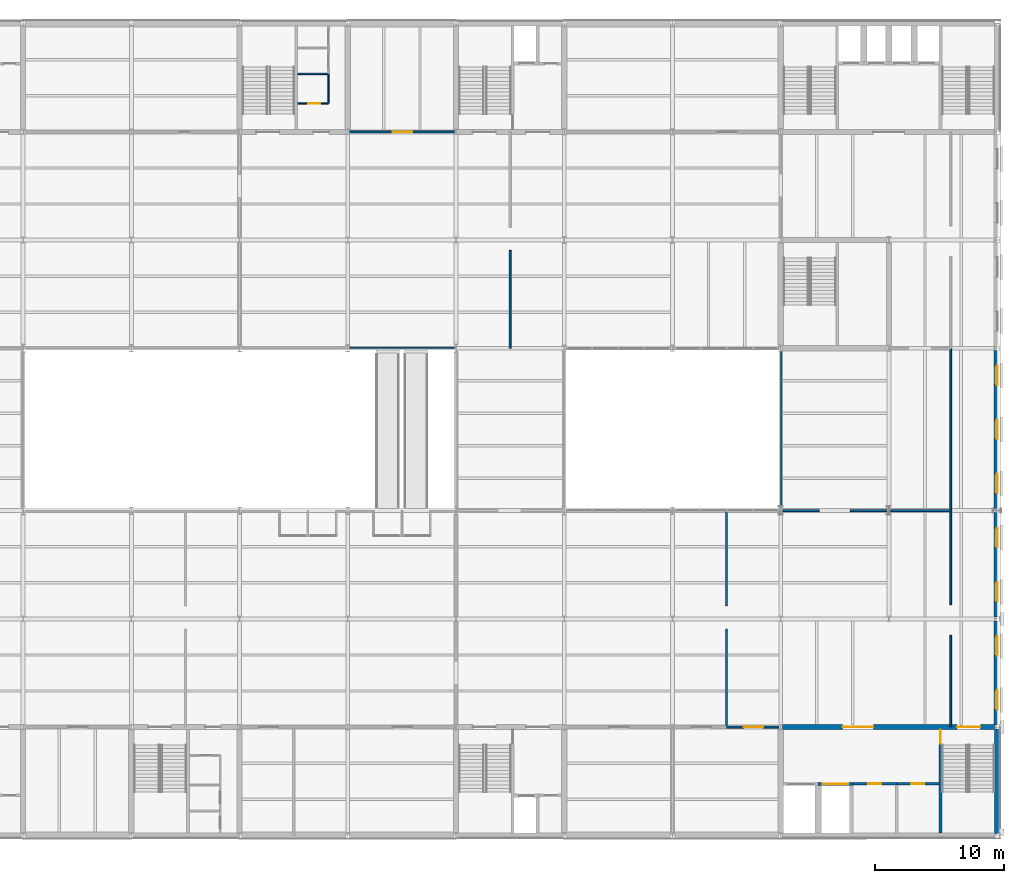
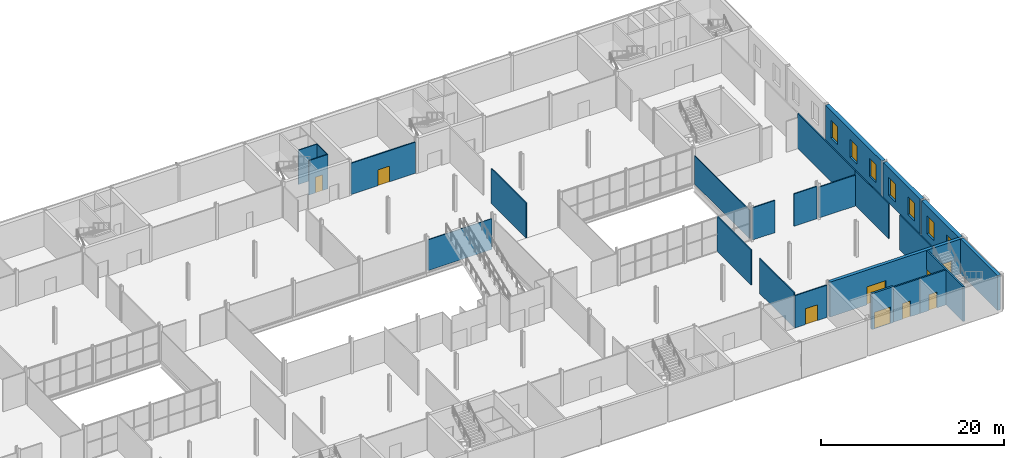
# One storey, part 32 of 57: 25 walls, 9 doors, 7 windows, 16 openings.
"""IFC4 building model written with IfcOpenShell, lengths in metres."""

from ifc_helpers import new_model, si_unit, direction, frame, frame_2d, origin, place, context, subcontext, project, spatial, rectangle, extrude, material, layer, layer_set, type_object, element, fill, save


model = new_model("IFC4")

# Units and contexts
model_context = context("Model", 3, precision=1e-05, world=origin(), true_north=direction((0.0, 1.0)))
body_context = subcontext(model_context, "Body", "Model", "MODEL_VIEW")
ifc_project = project(units=[si_unit("LENGTHUNIT", "METRE"), si_unit("AREAUNIT", "SQUARE_METRE"), si_unit("VOLUMEUNIT", "CUBIC_METRE"), si_unit("PLANEANGLEUNIT", "RADIAN"), si_unit("MASSUNIT", "GRAM", prefix="KILO")], contexts=[model_context])

# Site, building, storey
site_placement = place(None, origin())
site = spatial("IfcSite", under=ifc_project, at=site_placement, CompositionType="ELEMENT")
building_placement = place(site_placement, origin())
building = spatial("IfcBuilding", under=site, at=building_placement, Name="Galleria Vessillo Department Store", CompositionType="ELEMENT")
storey_placement = place(building_placement, frame((0.0, 0.0, 21.0)))
storey = spatial("IfcBuildingStorey", under=building, at=storey_placement, Name="L04", CompositionType="ELEMENT", Elevation=21.0)

# Walls
ifc_material_1 = material(Name="Fire-resisting glass in steel frame S355 J2", Category="steel")
ifc_layer_1 = layer(ifc_material_1, 0.10009765625)
ifc_layer_set_1 = layer_set([ifc_layer_1], Name="Fire-resisting glass in steel frame S355 J2")
wall_type_1 = type_object("IfcWallType", Name="Fire-resisting glazed screen EI 120-Sa 100 mm", PredefinedType="PARTITIONING", material=ifc_layer_set_1)
wall_1_placement = place(storey_placement, frame((67.35302734375, 37.85009765625, 0.0), z_axis=(0.0, 0.0, 1.0), x_axis=(1.0, 0.0, 0.0)))
element("IfcWall", 1, at=wall_1_placement, inside=storey, type_object=wall_type_1, Name="Fire screen, atrium edge L04", PredefinedType="PARTITIONING", context=body_context, shape_type="SweptSolid", body=[
    extrude(rectangle(XDim=8.094482421875, YDim=0.10009765625, at=frame_2d((4.04736328125, 0.0))), origin(), (0.0, 0.0, 1.0), 4.110107421875),
])
wall_2_placement = place(storey_placement, frame((100.85009765625, 25.533935546875, 0.0), z_axis=(0.0, 0.0, 1.0), x_axis=(0.0, 1.0, 0.0)))
element("IfcWall", 2, at=wall_2_placement, inside=storey, type_object=wall_type_1, Name="Fire screen, arcade end L04", PredefinedType="PARTITIONING", context=body_context, shape_type="SweptSolid", body=[
    extrude(rectangle(XDim=12.027099609375, YDim=0.10009765625, at=frame_2d((6.013671875, 0.0))), origin(), (0.0, 0.0, 1.0), 3.760009765625),
])

# Wall, opening, door
ifc_material_2 = material(Name="Solid clay block masonry", Category="masonry")
ifc_layer_2 = layer(ifc_material_2, 0.25)
ifc_layer_set_2 = layer_set([ifc_layer_2], Name="Solid clay block masonry")
wall_type_2 = type_object("IfcWallType", Name="Lift shaft wall 250 mm", PredefinedType="SOLIDWALL", material=ifc_layer_set_2)
wall_3_placement = place(storey_placement, frame((103.699951171875, 3.97509765625, 0.0), z_axis=(0.0, 0.0, 1.0), x_axis=(1.0, 0.0, 0.0)))
wall_3 = element("IfcWall", 3, at=wall_3_placement, inside=storey, type_object=wall_type_2, Name="Lift shaft wall GL2 landing side L04", PredefinedType="SOLIDWALL", context=body_context, shape_type="SweptSolid", body=[
    extrude(rectangle(XDim=2.699951171875, YDim=0.25, at=frame_2d((1.35009765625, 0.0))), origin(), (0.0, 0.0, 1.0), 4.800048828125),
])
opening_1_placement = place(wall_3_placement, frame((0.35009765625, 0.0, 0.0)))
opening_1 = element("IfcOpeningElement", 4, at=opening_1_placement, cuts=wall_3, Name="Opening LD062", PredefinedType="OPENING", context=body_context, shape_type="SweptSolid", body=[
    extrude(rectangle(XDim=2.0, YDim=2.199951171875, at=frame_2d((1.0, 1.10009765625))), frame((0.0, 0.135009765625, 0.0), z_axis=(0.0, -1.0, 0.0), x_axis=(1.0, 0.0, 0.0)), (0.0, 0.0, 1.0), 0.27001953125),
])
ifc_material_3 = material(Name="Stainless steel lift door panel", Category="steel")
door_type_1 = type_object("IfcDoorType", Name="Lift landing door LD200 sliding 2000 x 2200", OperationType="DOUBLE_DOOR_SLIDING", PredefinedType="DOOR", material=ifc_material_3)
door_1_placement = place(opening_1_placement, origin())
door_1 = element("IfcDoor", 5, at=door_1_placement, inside=storey, type_object=door_type_1, Name="Lift landing door GL2 L04", OperationType="DOUBLE_DOOR_SLIDING", OverallHeight=2.199951171875, OverallWidth=2.0, PredefinedType="DOOR", context=body_context, shape_type="SweptSolid", body=[
    extrude(rectangle(XDim=2.0, YDim=2.199951171875, at=frame_2d((1.0, 1.10009765625))), frame((0.0, 0.02490234375, 0.0), z_axis=(0.0, -1.0, 0.0), x_axis=(1.0, 0.0, 0.0)), (0.0, 0.0, 1.0), 0.050048828125),
])
fill(opening_1, door_1)

# Wall, openings, windows
ifc_material_4 = material(Name="Reinforced masonry, limestone units 80 MPa", Category="masonry")
ifc_layer_3 = layer(ifc_material_4, 0.5)
ifc_layer_set_3 = layer_set([ifc_layer_3], Name="Reinforced masonry, limestone units 80 MPa")
wall_type_3 = type_object("IfcWallType", Name="Load-bearing limestone-faced wall 500 mm", PredefinedType="STANDARD", material=ifc_layer_set_3)
wall_4_placement = place(storey_placement, frame((117.60009765625, 8.5498046875, 0.0), z_axis=(0.0, 0.0, 1.0), x_axis=(0.0, 1.0, 0.0)))
wall_4 = element("IfcWall", 6, at=wall_4_placement, inside=storey, type_object=wall_type_3, Name="Load-bearing limestone-faced wall 500 mm SE-L04-01", PredefinedType="STANDARD", context=body_context, shape_type="SweptSolid", body=[
    extrude(rectangle(XDim=8.100341796875, YDim=0.5, at=frame_2d((4.05029296875, 0.0))), origin(), (0.0, 0.0, 1.0), 4.650146484375),
])
opening_2_placement = place(wall_4_placement, frame((1.2001953125, 0.0, 1.0)))
opening_2 = element("IfcOpeningElement", 7, at=opening_2_placement, cuts=wall_4, Name="Opening W054", PredefinedType="OPENING", context=body_context, shape_type="SweptSolid", body=[
    extrude(rectangle(XDim=1.5, YDim=2.39990234375, at=frame_2d((0.75, 1.199951171875))), frame((0.0, 0.260009765625, 0.0), z_axis=(0.0, -1.0, 0.0), x_axis=(1.0, 0.0, 0.0)), (0.0, 0.0, 1.0), 0.52001953125),
])
opening_3_placement = place(wall_4_placement, frame((5.400146484375, 0.0, 1.0)))
opening_3 = element("IfcOpeningElement", 8, at=opening_3_placement, cuts=wall_4, Name="Opening W055", PredefinedType="OPENING", context=body_context, shape_type="SweptSolid", body=[
    extrude(rectangle(XDim=1.5, YDim=2.39990234375, at=frame_2d((0.75, 1.199951171875))), frame((0.0, 0.260009765625, 0.0), z_axis=(0.0, -1.0, 0.0), x_axis=(1.0, 0.0, 0.0)), (0.0, 0.0, 1.0), 0.52001953125),
])
ifc_material_5 = material(Name="Aluminium frame with laminated glass 44.2", Category="aluminium")
window_type = type_object("IfcWindowType", Name="Third order window 1500 x 2400", PartitioningType="SINGLE_PANEL", PredefinedType="WINDOW", material=ifc_material_5)
window_1_placement = place(opening_2_placement, origin())
window_1 = element("IfcWindow", 9, at=window_1_placement, inside=storey, type_object=window_type, Name="E-WIN-SE-L04-01-054", OverallHeight=2.39990234375, OverallWidth=1.5, PartitioningType="SINGLE_PANEL", PredefinedType="WINDOW", context=body_context, shape_type="SweptSolid", body=[
    extrude(rectangle(XDim=1.5, YDim=2.39990234375, at=frame_2d((0.75, 1.199951171875))), frame((0.0, 0.030029296875, 0.0), z_axis=(0.0, -1.0, 0.0), x_axis=(1.0, 0.0, 0.0)), (0.0, 0.0, 1.0), 0.06005859375),
])
fill(opening_2, window_1)
window_2_placement = place(opening_3_placement, origin())
window_2 = element("IfcWindow", 10, at=window_2_placement, inside=storey, type_object=window_type, Name="E-WIN-SE-L04-01-055", OverallHeight=2.39990234375, OverallWidth=1.5, PartitioningType="SINGLE_PANEL", PredefinedType="WINDOW", context=body_context, shape_type="SweptSolid", body=[
    extrude(rectangle(XDim=1.5, YDim=2.39990234375, at=frame_2d((0.75, 1.199951171875))), frame((0.0, 0.030029296875, 0.0), z_axis=(0.0, -1.0, 0.0), x_axis=(1.0, 0.0, 0.0)), (0.0, 0.0, 1.0), 0.06005859375),
])
fill(opening_3, window_2)

wall_5_placement = place(storey_placement, frame((117.60009765625, 16.949951171875, 0.0), z_axis=(0.0, 0.0, 1.0), x_axis=(0.0, 1.0, 0.0)))
wall_5 = element("IfcWall", 11, at=wall_5_placement, inside=storey, type_object=wall_type_3, Name="Load-bearing limestone-faced wall 500 mm SE-L04-02", PredefinedType="STANDARD", context=body_context, shape_type="SweptSolid", body=[
    extrude(rectangle(XDim=8.097412109375, YDim=0.5, at=frame_2d((4.048828125, 0.0))), origin(), (0.0, 0.0, 1.0), 4.650146484375),
])
opening_4_placement = place(wall_5_placement, frame((1.199951171875, 0.0, 1.0)))
opening_4 = element("IfcOpeningElement", 12, at=opening_4_placement, cuts=wall_5, Name="Opening W056", PredefinedType="OPENING", context=body_context, shape_type="SweptSolid", body=[
    extrude(rectangle(XDim=1.5, YDim=2.39990234375, at=frame_2d((0.75, 1.199951171875))), frame((0.0, 0.260009765625, 0.0), z_axis=(0.0, -1.0, 0.0), x_axis=(1.0, 0.0, 0.0)), (0.0, 0.0, 1.0), 0.52001953125),
])
opening_5_placement = place(wall_5_placement, frame((5.400146484375, 0.0, 1.0)))
opening_5 = element("IfcOpeningElement", 13, at=opening_5_placement, cuts=wall_5, Name="Opening W057", PredefinedType="OPENING", context=body_context, shape_type="SweptSolid", body=[
    extrude(rectangle(XDim=1.5, YDim=2.39990234375, at=frame_2d((0.75, 1.199951171875))), frame((0.0, 0.260009765625, 0.0), z_axis=(0.0, -1.0, 0.0), x_axis=(1.0, 0.0, 0.0)), (0.0, 0.0, 1.0), 0.52001953125),
])
window_3_placement = place(opening_4_placement, origin())
window_3 = element("IfcWindow", 14, at=window_3_placement, inside=storey, type_object=window_type, Name="E-WIN-SE-L04-02-056", OverallHeight=2.39990234375, OverallWidth=1.5, PartitioningType="SINGLE_PANEL", PredefinedType="WINDOW", context=body_context, shape_type="SweptSolid", body=[
    extrude(rectangle(XDim=1.5, YDim=2.39990234375, at=frame_2d((0.75, 1.199951171875))), frame((0.0, 0.030029296875, 0.0), z_axis=(0.0, -1.0, 0.0), x_axis=(1.0, 0.0, 0.0)), (0.0, 0.0, 1.0), 0.06005859375),
])
fill(opening_4, window_3)
window_4_placement = place(opening_5_placement, origin())
window_4 = element("IfcWindow", 15, at=window_4_placement, inside=storey, type_object=window_type, Name="E-WIN-SE-L04-02-057", OverallHeight=2.39990234375, OverallWidth=1.5, PartitioningType="SINGLE_PANEL", PredefinedType="WINDOW", context=body_context, shape_type="SweptSolid", body=[
    extrude(rectangle(XDim=1.5, YDim=2.39990234375, at=frame_2d((0.75, 1.199951171875))), frame((0.0, 0.030029296875, 0.0), z_axis=(0.0, -1.0, 0.0), x_axis=(1.0, 0.0, 0.0)), (0.0, 0.0, 1.0), 0.06005859375),
])
fill(opening_5, window_4)

wall_6_placement = place(storey_placement, frame((117.60009765625, 25.3525390625, 0.0), z_axis=(0.0, 0.0, 1.0), x_axis=(0.0, 1.0, 0.0)))
wall_6 = element("IfcWall", 16, at=wall_6_placement, inside=storey, type_object=wall_type_3, Name="Load-bearing limestone-faced wall 500 mm SE-L04-03", PredefinedType="STANDARD", context=body_context, shape_type="SweptSolid", body=[
    extrude(rectangle(XDim=12.2939453125, YDim=0.5, at=frame_2d((6.14697265625, 0.0))), origin(), (0.0, 0.0, 1.0), 4.650146484375),
])
opening_6_placement = place(wall_6_placement, frame((1.197509765625, 0.0, 1.0)))
opening_6 = element("IfcOpeningElement", 17, at=opening_6_placement, cuts=wall_6, Name="Opening W058", PredefinedType="OPENING", context=body_context, shape_type="SweptSolid", body=[
    extrude(rectangle(XDim=1.5, YDim=2.39990234375, at=frame_2d((0.75, 1.199951171875))), frame((0.0, 0.260009765625, 0.0), z_axis=(0.0, -1.0, 0.0), x_axis=(1.0, 0.0, 0.0)), (0.0, 0.0, 1.0), 0.52001953125),
])
opening_7_placement = place(wall_6_placement, frame((5.3974609375, 0.0, 1.0)))
opening_7 = element("IfcOpeningElement", 18, at=opening_7_placement, cuts=wall_6, Name="Opening W059", PredefinedType="OPENING", context=body_context, shape_type="SweptSolid", body=[
    extrude(rectangle(XDim=1.5, YDim=2.39990234375, at=frame_2d((0.75, 1.199951171875))), frame((0.0, 0.260009765625, 0.0), z_axis=(0.0, -1.0, 0.0), x_axis=(1.0, 0.0, 0.0)), (0.0, 0.0, 1.0), 0.52001953125),
])
opening_8_placement = place(wall_6_placement, frame((9.597412109375, 0.0, 1.0)))
opening_8 = element("IfcOpeningElement", 19, at=opening_8_placement, cuts=wall_6, Name="Opening W060", PredefinedType="OPENING", context=body_context, shape_type="SweptSolid", body=[
    extrude(rectangle(XDim=1.5, YDim=2.39990234375, at=frame_2d((0.75, 1.199951171875))), frame((0.0, 0.260009765625, 0.0), z_axis=(0.0, -1.0, 0.0), x_axis=(1.0, 0.0, 0.0)), (0.0, 0.0, 1.0), 0.52001953125),
])
window_5_placement = place(opening_6_placement, origin())
window_5 = element("IfcWindow", 20, at=window_5_placement, inside=storey, type_object=window_type, Name="E-WIN-SE-L04-03-058", OverallHeight=2.39990234375, OverallWidth=1.5, PartitioningType="SINGLE_PANEL", PredefinedType="WINDOW", context=body_context, shape_type="SweptSolid", body=[
    extrude(rectangle(XDim=1.5, YDim=2.39990234375, at=frame_2d((0.75, 1.199951171875))), frame((0.0, 0.030029296875, 0.0), z_axis=(0.0, -1.0, 0.0), x_axis=(1.0, 0.0, 0.0)), (0.0, 0.0, 1.0), 0.06005859375),
])
fill(opening_6, window_5)
window_6_placement = place(opening_7_placement, origin())
window_6 = element("IfcWindow", 21, at=window_6_placement, inside=storey, type_object=window_type, Name="E-WIN-SE-L04-03-059", OverallHeight=2.39990234375, OverallWidth=1.5, PartitioningType="SINGLE_PANEL", PredefinedType="WINDOW", context=body_context, shape_type="SweptSolid", body=[
    extrude(rectangle(XDim=1.5, YDim=2.39990234375, at=frame_2d((0.75, 1.199951171875))), frame((0.0, 0.030029296875, 0.0), z_axis=(0.0, -1.0, 0.0), x_axis=(1.0, 0.0, 0.0)), (0.0, 0.0, 1.0), 0.06005859375),
])
fill(opening_7, window_6)
window_7_placement = place(opening_8_placement, origin())
window_7 = element("IfcWindow", 22, at=window_7_placement, inside=storey, type_object=window_type, Name="E-WIN-SE-L04-03-060", OverallHeight=2.39990234375, OverallWidth=1.5, PartitioningType="SINGLE_PANEL", PredefinedType="WINDOW", context=body_context, shape_type="SweptSolid", body=[
    extrude(rectangle(XDim=1.5, YDim=2.39990234375, at=frame_2d((0.75, 1.199951171875))), frame((0.0, 0.030029296875, 0.0), z_axis=(0.0, -1.0, 0.0), x_axis=(1.0, 0.0, 0.0)), (0.0, 0.0, 1.0), 0.06005859375),
])
fill(opening_8, window_7)

# Wall, openings, doors
ifc_material_6 = material(Name="Concrete C32/40 reinforced", Category="concrete")
ifc_layer_4 = layer(ifc_material_6, 0.39990234375)
ifc_layer_set_4 = layer_set([ifc_layer_4], Name="Concrete C32/40 reinforced")
wall_type_4 = type_object("IfcWallType", Name="Reinforced concrete core wall 400 mm", PredefinedType="SHEAR", material=ifc_layer_set_4)
wall_7_placement = place(storey_placement, frame((100.949951171875, 8.39990234375, 0.0), z_axis=(0.0, 0.0, 1.0), x_axis=(1.0, 0.0, 0.0)))
wall_7 = element("IfcWall", 23, at=wall_7_placement, inside=storey, type_object=wall_type_4, Name="S-CW-GC-INTERIOR-L04", PredefinedType="SHEAR", context=body_context, shape_type="SweptSolid", body=[
    extrude(rectangle(XDim=16.4501953125, YDim=0.39990234375, at=frame_2d((8.22509765625, 0.0))), origin(), (0.0, 0.0, 1.0), 4.650146484375),
])
opening_9_placement = place(wall_7_placement, frame((13.5498046875, 0.0, 0.0)))
opening_9 = element("IfcOpeningElement", 24, at=opening_9_placement, cuts=wall_7, Name="Opening D5252", PredefinedType="OPENING", context=body_context, shape_type="SweptSolid", body=[
    extrude(rectangle(XDim=1.800048828125, YDim=2.10009765625, at=frame_2d((0.89990234375, 1.050048828125))), frame((0.0, 0.2099609375, 0.0), z_axis=(0.0, -1.0, 0.0), x_axis=(1.0, 0.0, 0.0)), (0.0, 0.0, 1.0), 0.419921875),
])
opening_10_placement = place(wall_7_placement, frame((4.64990234375, 0.0, 0.0)))
opening_10 = element("IfcOpeningElement", 25, at=opening_10_placement, cuts=wall_7, Name="Opening D5253", PredefinedType="OPENING", context=body_context, shape_type="SweptSolid", body=[
    extrude(rectangle(XDim=2.39990234375, YDim=2.39990234375, at=frame_2d((1.199951171875, 1.199951171875))), frame((0.0, 0.2099609375, 0.0), z_axis=(0.0, -1.0, 0.0), x_axis=(1.0, 0.0, 0.0)), (0.0, 0.0, 1.0), 0.419921875),
])
ifc_material_7 = material(Name="Fire-rated steel door leaf", Category="steel")
door_type_2 = type_object("IfcDoorType", Name="Door D180F double leaf 1800 x 2100", OperationType="DOUBLE_DOOR_SINGLE_SWING", PredefinedType="DOOR", material=ifc_material_7)
door_2_placement = place(opening_9_placement, frame((1.800048828125, 0.0, 0.0), z_axis=(0.0, 0.0, 1.0), x_axis=(-1.0, 0.0, 0.0)))
door_2 = element("IfcDoor", 26, at=door_2_placement, inside=storey, type_object=door_type_2, Name="Lobby door GC-ST7-FLOOR L04", OperationType="DOUBLE_DOOR_SINGLE_SWING", OverallHeight=2.10009765625, OverallWidth=1.800048828125, PredefinedType="DOOR", context=body_context, shape_type="SweptSolid", body=[
    extrude(rectangle(XDim=1.800048828125, YDim=2.10009765625, at=frame_2d((0.89990234375, 1.050048828125))), frame((0.0, 0.02490234375, 0.0), z_axis=(0.0, -1.0, 0.0), x_axis=(1.0, 0.0, 0.0)), (0.0, 0.0, 1.0), 0.050048828125),
])
fill(opening_9, door_2)
ifc_material_8 = material(Name="Fire-rated steel door leaf", Category="steel")
door_type_3 = type_object("IfcDoorType", Name="Door D240F double leaf 2400 x 2400", OperationType="DOUBLE_DOOR_SINGLE_SWING", PredefinedType="DOOR", material=ifc_material_8)
door_3_placement = place(opening_10_placement, frame((2.39990234375, 0.0, 0.0), z_axis=(0.0, 0.0, 1.0), x_axis=(-1.0, 0.0, 0.0)))
door_3 = element("IfcDoor", 27, at=door_3_placement, inside=storey, type_object=door_type_3, Name="Lobby door GC-DOCK L04", OperationType="DOUBLE_DOOR_SINGLE_SWING", OverallHeight=2.39990234375, OverallWidth=2.39990234375, PredefinedType="DOOR", context=body_context, shape_type="SweptSolid", body=[
    extrude(rectangle(XDim=2.39990234375, YDim=2.39990234375, at=frame_2d((1.199951171875, 1.199951171875))), frame((0.0, 0.02490234375, 0.0), z_axis=(0.0, -1.0, 0.0), x_axis=(1.0, 0.0, 0.0)), (0.0, 0.0, 1.0), 0.050048828125),
])
fill(opening_10, door_3)

# Wall
ifc_material_9 = material(Name="Concrete C32/40 reinforced", Category="concrete")
ifc_layer_5 = layer(ifc_material_9, 0.39990234375)
ifc_layer_set_5 = layer_set([ifc_layer_5], Name="Concrete C32/40 reinforced")
wall_type_5 = type_object("IfcWallType", Name="Reinforced concrete core wall 400 mm, external", PredefinedType="SHEAR", material=ifc_layer_set_5)
wall_8_placement = place(storey_placement, frame((117.60009765625, 0.14990234375, 0.0), z_axis=(0.0, 0.0, 1.0), x_axis=(0.0, 1.0, 0.0)))
element("IfcWall", 28, at=wall_8_placement, inside=storey, type_object=wall_type_5, Name="S-CW-GC-EAST-L04", PredefinedType="SHEAR", context=body_context, shape_type="SweptSolid", body=[
    extrude(rectangle(XDim=8.10009765625, YDim=0.39990234375, at=frame_2d((4.050048828125, 0.0))), origin(), (0.0, 0.0, 1.0), 4.650146484375),
])

# Wall, opening, door
ifc_material_10 = material(Name="Concrete C32/40 reinforced", Category="concrete")
ifc_layer_6 = layer(ifc_material_10, 0.199951171875)
ifc_layer_set_6 = layer_set([ifc_layer_6], Name="Concrete C32/40 reinforced")
wall_type_6 = type_object("IfcWallType", Name="Reinforced concrete stair enclosure wall 200 mm", PredefinedType="SHEAR", material=ifc_layer_set_6)
wall_9_placement = place(storey_placement, frame((113.199951171875, 0.199951171875, 0.0), z_axis=(0.0, 0.0, 1.0), x_axis=(0.0, 1.0, 0.0)))
wall_9 = element("IfcWall", 29, at=wall_9_placement, inside=storey, type_object=wall_type_6, Name="Stair enclosure wall GC L04", PredefinedType="SHEAR", context=body_context, shape_type="SweptSolid", body=[
    extrude(rectangle(XDim=8.0, YDim=0.199951171875, at=frame_2d((4.0, 0.0))), origin(), (0.0, 0.0, 1.0), 4.64990234375),
])
opening_11_placement = place(wall_9_placement, frame((6.89990234375, 0.0, 0.0)))
opening_11 = element("IfcOpeningElement", 30, at=opening_11_placement, cuts=wall_9, Name="Opening D5249", PredefinedType="OPENING", context=body_context, shape_type="SweptSolid", body=[
    extrude(rectangle(XDim=1.11009765625, YDim=2.10009765625, at=frame_2d((0.554931640625, 1.050048828125))), frame((0.0, 0.10986328125, 0.0), z_axis=(0.0, -1.0, 0.0), x_axis=(1.0, 0.0, 0.0)), (0.0, 0.0, 1.0), 0.219970703125),
])
ifc_material_11 = material(Name="Fire-rated steel door leaf", Category="steel")
door_type_4 = type_object("IfcDoorType", Name="Door D110F stair door 1100 x 2100", OperationType="SINGLE_SWING_LEFT", PredefinedType="DOOR", material=ifc_material_11)
door_4_placement = place(opening_11_placement, frame((1.10009765625, 0.0, 0.0), z_axis=(0.0, 0.0, 1.0), x_axis=(-1.0, 0.0, 0.0)))
door_4 = element("IfcDoor", 31, at=door_4_placement, inside=storey, type_object=door_type_4, Name="Stair door GC-ST7-LOBBY L04", OperationType="SINGLE_SWING_LEFT", OverallHeight=2.10009765625, OverallWidth=1.10009765625, PredefinedType="DOOR", context=body_context, shape_type="SweptSolid", body=[
    extrude(rectangle(XDim=1.10009765625, YDim=2.10009765625, at=frame_2d((0.550048828125, 1.050048828125))), frame((0.0, 0.02490234375, 0.0), z_axis=(0.0, -1.0, 0.0), x_axis=(1.0, 0.0, 0.0)), (0.0, 0.0, 1.0), 0.050048828125),
])
fill(opening_11, door_4)

ifc_material_12 = material(Name="Hollow clay block masonry", Category="masonry")
ifc_layer_7 = layer(ifc_material_12, 0.199951171875)
ifc_layer_set_7 = layer_set([ifc_layer_7], Name="Hollow clay block masonry")
wall_type_7 = type_object("IfcWallType", Name="Riser and service room wall 200 mm", PredefinedType="PARTITIONING", material=ifc_layer_set_7)
wall_10_placement = place(storey_placement, frame((106.39990234375, 4.0, 0.0), z_axis=(0.0, 0.0, 1.0), x_axis=(1.0, 0.0, 0.0)))
wall_10 = element("IfcWall", 32, at=wall_10_placement, inside=storey, type_object=wall_type_7, Name="Service room wall GC-SERVICE-1 L04", PredefinedType="PARTITIONING", context=body_context, shape_type="SweptSolid", body=[
    extrude(rectangle(XDim=3.400146484375, YDim=0.199951171875, at=frame_2d((1.7001953125, 0.0))), origin(), (0.0, 0.0, 1.0), 4.64990234375),
])
opening_12_placement = place(wall_10_placement, frame((1.2001953125, 0.0, 0.0)))
opening_12 = element("IfcOpeningElement", 33, at=opening_12_placement, cuts=wall_10, Name="Opening D5250", PredefinedType="OPENING", context=body_context, shape_type="SweptSolid", body=[
    extrude(rectangle(XDim=1.0, YDim=2.10009765625, at=frame_2d((0.5, 1.050048828125))), frame((0.0, 0.10986328125, 0.0), z_axis=(0.0, -1.0, 0.0), x_axis=(1.0, 0.0, 0.0)), (0.0, 0.0, 1.0), 0.219970703125),
])
ifc_material_13 = material(Name="Fire-rated steel door leaf", Category="steel")
door_type_5 = type_object("IfcDoorType", Name="Door D100 service room 1000 x 2100", OperationType="SINGLE_SWING_LEFT", PredefinedType="DOOR", material=ifc_material_13)
door_5_placement = place(opening_12_placement, frame((1.0, 0.0, 0.0), z_axis=(0.0, 0.0, 1.0), x_axis=(-1.0, 0.0, 0.0)))
door_5 = element("IfcDoor", 34, at=door_5_placement, inside=storey, type_object=door_type_5, Name="Service room door GC-SERVICE-1 L04", OperationType="SINGLE_SWING_LEFT", OverallHeight=2.10009765625, OverallWidth=1.0, PredefinedType="DOOR", context=body_context, shape_type="SweptSolid", body=[
    extrude(rectangle(XDim=1.0, YDim=2.10009765625, at=frame_2d((0.5, 1.050048828125))), frame((0.0, 0.02490234375, 0.0), z_axis=(0.0, -1.0, 0.0), x_axis=(1.0, 0.0, 0.0)), (0.0, 0.0, 1.0), 0.050048828125),
])
fill(opening_12, door_5)

wall_11_placement = place(storey_placement, frame((109.800048828125, 4.0, 0.0), z_axis=(0.0, 0.0, 1.0), x_axis=(1.0, 0.0, 0.0)))
wall_11 = element("IfcWall", 35, at=wall_11_placement, inside=storey, type_object=wall_type_7, Name="Service room wall GC-SERVICE-2 L04", PredefinedType="PARTITIONING", context=body_context, shape_type="SweptSolid", body=[
    extrude(rectangle(XDim=3.300048828125, YDim=0.199951171875, at=frame_2d((1.64990234375, 0.0))), origin(), (0.0, 0.0, 1.0), 4.64990234375),
])
opening_13_placement = place(wall_11_placement, frame((1.14990234375, 0.0, 0.0)))
opening_13 = element("IfcOpeningElement", 36, at=opening_13_placement, cuts=wall_11, Name="Opening D5251", PredefinedType="OPENING", context=body_context, shape_type="SweptSolid", body=[
    extrude(rectangle(XDim=1.0, YDim=2.10009765625, at=frame_2d((0.5, 1.050048828125))), frame((0.0, 0.10986328125, 0.0), z_axis=(0.0, -1.0, 0.0), x_axis=(1.0, 0.0, 0.0)), (0.0, 0.0, 1.0), 0.219970703125),
])
door_6_placement = place(opening_13_placement, frame((1.0, 0.0, 0.0), z_axis=(0.0, 0.0, 1.0), x_axis=(-1.0, 0.0, 0.0)))
door_6 = element("IfcDoor", 37, at=door_6_placement, inside=storey, type_object=door_type_5, Name="Service room door GC-SERVICE-2 L04", OperationType="SINGLE_SWING_RIGHT", OverallHeight=2.10009765625, OverallWidth=1.0, PredefinedType="DOOR", context=body_context, shape_type="SweptSolid", body=[
    extrude(rectangle(XDim=1.0, YDim=2.10009765625, at=frame_2d((0.5, 1.050048828125))), frame((0.0, 0.02490234375, 0.0), z_axis=(0.0, -1.0, 0.0), x_axis=(1.0, 0.0, 0.0)), (0.0, 0.0, 1.0), 0.050048828125),
])
fill(opening_13, door_6)

# Walls
ifc_material_14 = material(Name="Gypsum board partition")
ifc_layer_8 = layer(ifc_material_14, 0.139892578125)
ifc_layer_set_8 = layer_set([ifc_layer_8], Name="Gypsum board partition")
wall_type_8 = type_object("IfcWallType", Name="Sales dividing wall 140 mm", PredefinedType="PARTITIONING", material=ifc_layer_set_8)
wall_12_placement = place(storey_placement, frame((96.60009765625, 8.39990234375, 0.0), z_axis=(0.0, 0.0, 1.0), x_axis=(0.0, 1.0, 0.0)))
element("IfcWall", 38, at=wall_12_placement, inside=storey, type_object=wall_type_8, Name="Partition wall PT3 on L04 no. 049", PredefinedType="PARTITIONING", context=body_context, shape_type="SweptSolid", body=[
    extrude(rectangle(XDim=7.60009765625, YDim=0.139892578125, at=frame_2d((3.800048828125, 0.0))), origin(), (0.0, 0.0, 1.0), 4.650146484375),
])
wall_13_placement = place(storey_placement, frame((96.60009765625, 17.800048828125, 0.0), z_axis=(0.0, 0.0, 1.0), x_axis=(0.0, 1.0, 0.0)))
element("IfcWall", 39, at=wall_13_placement, inside=storey, type_object=wall_type_8, Name="Partition wall PT3 on L04 no. 050", PredefinedType="PARTITIONING", context=body_context, shape_type="SweptSolid", body=[
    extrude(rectangle(XDim=7.39990234375, YDim=0.139892578125, at=frame_2d((3.699951171875, 0.0))), origin(), (0.0, 0.0, 1.0), 4.650146484375),
])
wall_14_placement = place(storey_placement, frame((100.95263671875, 25.199951171875, 0.0), z_axis=(0.0, 0.0, 1.0), x_axis=(1.0, 0.0, 0.0)))
element("IfcWall", 40, at=wall_14_placement, inside=storey, type_object=wall_type_8, Name="Partition wall PT3 on L04 no. 053", PredefinedType="PARTITIONING", context=body_context, shape_type="SweptSolid", body=[
    extrude(rectangle(XDim=2.849853515625, YDim=0.139892578125, at=frame_2d((1.4248046875, 0.0))), origin(), (0.0, 0.0, 1.0), 4.300048828125),
])
wall_15_placement = place(storey_placement, frame((106.20263671875, 25.199951171875, 0.0), z_axis=(0.0, 0.0, 1.0), x_axis=(1.0, 0.0, 0.0)))
element("IfcWall", 41, at=wall_15_placement, inside=storey, type_object=wall_type_8, Name="Partition wall PT3 on L04 no. 054", PredefinedType="PARTITIONING", context=body_context, shape_type="SweptSolid", body=[
    extrude(rectangle(XDim=2.8447265625, YDim=0.139892578125, at=frame_2d((1.42236328125, 0.0))), origin(), (0.0, 0.0, 1.0), 4.300048828125),
])
wall_16_placement = place(storey_placement, frame((109.3525390625, 25.199951171875, 0.0), z_axis=(0.0, 0.0, 1.0), x_axis=(1.0, 0.0, 0.0)))
element("IfcWall", 42, at=wall_16_placement, inside=storey, type_object=wall_type_8, Name="Partition wall PT3 on L04 no. 055", PredefinedType="PARTITIONING", context=body_context, shape_type="SweptSolid", body=[
    extrude(rectangle(XDim=4.6474609375, YDim=0.139892578125, at=frame_2d((2.32373046875, 0.0))), origin(), (0.0, 0.0, 1.0), 4.110107421875),
])
wall_17_placement = place(storey_placement, frame((114.0, 8.409912109375, 0.0), z_axis=(0.0, 0.0, 1.0), x_axis=(0.0, 1.0, 0.0)))
element("IfcWall", 43, at=wall_17_placement, inside=storey, type_object=wall_type_8, Name="Partition wall PT3 on L04 no. 056", PredefinedType="PARTITIONING", context=body_context, shape_type="SweptSolid", body=[
    extrude(rectangle(XDim=7.10009765625, YDim=0.139892578125, at=frame_2d((3.550048828125, 0.0))), origin(), (0.0, 0.0, 1.0), 4.650146484375),
])
wall_18_placement = place(storey_placement, frame((114.0, 17.909912109375, 0.0), z_axis=(0.0, 0.0, 1.0), x_axis=(0.0, 1.0, 0.0)))
element("IfcWall", 44, at=wall_18_placement, inside=storey, type_object=wall_type_8, Name="Partition wall PT3 on L04 no. 057", PredefinedType="PARTITIONING", context=body_context, shape_type="SweptSolid", body=[
    extrude(rectangle(XDim=7.2900390625, YDim=0.139892578125, at=frame_2d((3.64501953125, 0.0))), origin(), (0.0, 0.0, 1.0), 4.650146484375),
])
wall_19_placement = place(storey_placement, frame((79.800048828125, 37.800048828125, 0.0), z_axis=(0.0, 0.0, 1.0), x_axis=(0.0, 1.0, 0.0)))
element("IfcWall", 45, at=wall_19_placement, inside=storey, type_object=wall_type_8, Name="Partition wall PT3 on L04 no. 072", PredefinedType="PARTITIONING", context=body_context, shape_type="SweptSolid", body=[
    extrude(rectangle(XDim=7.599853515625, YDim=0.139892578125, at=frame_2d((3.7998046875, 0.0))), origin(), (0.0, 0.0, 1.0), 4.650146484375),
])
wall_20_placement = place(storey_placement, frame((114.0, 25.199951171875, 0.0), z_axis=(0.0, 0.0, 1.0), x_axis=(0.0, 1.0, 0.0)))
element("IfcWall", 46, at=wall_20_placement, inside=storey, type_object=wall_type_8, Name="Partition wall PT3 on L04 no. 080", PredefinedType="PARTITIONING", context=body_context, shape_type="SweptSolid", body=[
    extrude(rectangle(XDim=12.60009765625, YDim=0.139892578125, at=frame_2d((6.300048828125, 0.0))), origin(), (0.0, 0.0, 1.0), 4.650146484375),
])

# Wall, opening, door
ifc_material_15 = material(Name="Concrete blockwork", Category="masonry")
ifc_layer_9 = layer(ifc_material_15, 0.14990234375)
ifc_layer_set_9 = layer_set([ifc_layer_9], Name="Concrete blockwork")
wall_type_9 = type_object("IfcWallType", Name="Stockroom blockwork wall 150 mm", PredefinedType="SOLIDWALL", material=ifc_layer_set_9)
wall_21_placement = place(storey_placement, frame((96.60009765625, 8.39990234375, 0.0), z_axis=(0.0, 0.0, 1.0), x_axis=(1.0, 0.0, 0.0)))
wall_21 = element("IfcWall", 47, at=wall_21_placement, inside=storey, type_object=wall_type_9, Name="Partition wall PT4 on L04 no. 026", PredefinedType="SOLIDWALL", context=body_context, shape_type="SweptSolid", body=[
    extrude(rectangle(XDim=4.050048828125, YDim=0.14990234375, at=frame_2d((2.02490234375, 0.0))), origin(), (0.0, 0.0, 1.0), 4.300048828125),
])
opening_14_placement = place(wall_21_placement, frame((1.35009765625, 0.0, 0.0)))
opening_14 = element("IfcOpeningElement", 48, at=opening_14_placement, cuts=wall_21, Name="Opening D2615", PredefinedType="OPENING", context=body_context, shape_type="SweptSolid", body=[
    extrude(rectangle(XDim=1.5, YDim=2.10009765625, at=frame_2d((0.75, 1.050048828125))), frame((0.0, 0.0849609375, 0.0), z_axis=(0.0, -1.0, 0.0), x_axis=(1.0, 0.0, 0.0)), (0.0, 0.0, 1.0), 0.169921875),
])
ifc_material_16 = material(Name="Steel fire door leaf", Category="steel")
door_type_6 = type_object("IfcDoorType", Name="Stockroom fire door 1500 double leaf", OperationType="DOUBLE_DOOR_SINGLE_SWING", PredefinedType="DOOR", material=ifc_material_16)
door_7_placement = place(opening_14_placement, frame((1.5, 0.0, 0.0), z_axis=(0.0, 0.0, 1.0), x_axis=(-1.0, 0.0, 0.0)))
door_7 = element("IfcDoor", 49, at=door_7_placement, inside=storey, type_object=door_type_6, Name="Door D2615", OperationType="DOUBLE_DOOR_SINGLE_SWING", OverallHeight=2.10009765625, OverallWidth=1.5, PredefinedType="DOOR", context=body_context, shape_type="SweptSolid", body=[
    extrude(rectangle(XDim=1.5, YDim=2.10009765625, at=frame_2d((0.75, 1.050048828125))), frame((0.0, 0.02490234375, 0.0), z_axis=(0.0, -1.0, 0.0), x_axis=(1.0, 0.0, 0.0)), (0.0, 0.0, 1.0), 0.050048828125),
])
fill(opening_14, door_7)

wall_22_placement = place(storey_placement, frame((67.349853515625, 54.60009765625, 0.0), z_axis=(0.0, 0.0, 1.0), x_axis=(1.0, 0.0, 0.0)))
wall_22 = element("IfcWall", 50, at=wall_22_placement, inside=storey, type_object=wall_type_9, Name="Partition wall PT4 on L04 no. 033", PredefinedType="SOLIDWALL", context=body_context, shape_type="SweptSolid", body=[
    extrude(rectangle(XDim=8.100341796875, YDim=0.14990234375, at=frame_2d((4.05029296875, 0.0))), origin(), (0.0, 0.0, 1.0), 4.159912109375),
])
opening_15_placement = place(wall_22_placement, frame((3.35009765625, 0.0, 0.0)))
opening_15 = element("IfcOpeningElement", 51, at=opening_15_placement, cuts=wall_22, Name="Opening D2620", PredefinedType="OPENING", context=body_context, shape_type="SweptSolid", body=[
    extrude(rectangle(XDim=1.5, YDim=2.10009765625, at=frame_2d((0.75, 1.050048828125))), frame((0.0, 0.0849609375, 0.0), z_axis=(0.0, -1.0, 0.0), x_axis=(1.0, 0.0, 0.0)), (0.0, 0.0, 1.0), 0.169921875),
])
door_8_placement = place(opening_15_placement, origin())
door_8 = element("IfcDoor", 52, at=door_8_placement, inside=storey, type_object=door_type_6, Name="Door D2620", OperationType="DOUBLE_DOOR_SINGLE_SWING", OverallHeight=2.10009765625, OverallWidth=1.5, PredefinedType="DOOR", context=body_context, shape_type="SweptSolid", body=[
    extrude(rectangle(XDim=1.5, YDim=2.10009765625, at=frame_2d((0.75, 1.050048828125))), frame((0.0, 0.02490234375, 0.0), z_axis=(0.0, -1.0, 0.0), x_axis=(1.0, 0.0, 0.0)), (0.0, 0.0, 1.0), 0.050048828125),
])
fill(opening_15, door_8)

ifc_material_17 = material(Name="Moisture-resistant board partition")
ifc_layer_10 = layer(ifc_material_17, 0.10009765625)
ifc_layer_set_10 = layer_set([ifc_layer_10], Name="Moisture-resistant board partition")
wall_type_10 = type_object("IfcWallType", Name="WC and cubicle partition 100 mm", PredefinedType="PARTITIONING", material=ifc_layer_set_10)
wall_23_placement = place(storey_placement, frame((63.300048828125, 56.800048828125, 0.0), z_axis=(0.0, 0.0, 1.0), x_axis=(1.0, 0.0, 0.0)))
wall_23 = element("IfcWall", 53, at=wall_23_placement, inside=storey, type_object=wall_type_10, Name="Partition wall PT1 on L04 no. 007", PredefinedType="PARTITIONING", context=body_context, shape_type="SweptSolid", body=[
    extrude(rectangle(XDim=2.39990234375, YDim=0.10009765625, at=frame_2d((1.199951171875, 0.0))), origin(), (0.0, 0.0, 1.0), 4.580078125),
])
opening_16_placement = place(wall_23_placement, frame((0.85009765625, 0.0, 0.0)))
opening_16 = element("IfcOpeningElement", 54, at=opening_16_placement, cuts=wall_23, Name="Opening D2604", PredefinedType="OPENING", context=body_context, shape_type="SweptSolid", body=[
    extrude(rectangle(XDim=0.89990234375, YDim=2.10009765625, at=frame_2d((0.449951171875, 1.050048828125))), frame((0.0, 0.06005859375, 0.0), z_axis=(0.0, -1.0, 0.0), x_axis=(1.0, 0.0, 0.0)), (0.0, 0.0, 1.0), 0.1201171875),
])
ifc_material_18 = material(Name="Timber and glass door leaf", Category="wood")
door_type_7 = type_object("IfcDoorType", Name="Floor door 900 single leaf", OperationType="SINGLE_SWING_LEFT", PredefinedType="DOOR", material=ifc_material_18)
door_9_placement = place(opening_16_placement, frame((0.89990234375, 0.0, 0.0), z_axis=(0.0, 0.0, 1.0), x_axis=(-1.0, 0.0, 0.0)))
door_9 = element("IfcDoor", 55, at=door_9_placement, inside=storey, type_object=door_type_7, Name="Door D2604", OperationType="SINGLE_SWING_RIGHT", OverallHeight=2.10009765625, OverallWidth=0.89990234375, PredefinedType="DOOR", context=body_context, shape_type="SweptSolid", body=[
    extrude(rectangle(XDim=0.89990234375, YDim=2.10009765625, at=frame_2d((0.449951171875, 1.050048828125))), frame((0.0, 0.02490234375, 0.0), z_axis=(0.0, -1.0, 0.0), x_axis=(1.0, 0.0, 0.0)), (0.0, 0.0, 1.0), 0.050048828125),
])
fill(opening_16, door_9)

# Walls
wall_24_placement = place(storey_placement, frame((65.699951171875, 56.800048828125, 0.0), z_axis=(0.0, 0.0, 1.0), x_axis=(0.0, 1.0, 0.0)))
element("IfcWall", 56, at=wall_24_placement, inside=storey, type_object=wall_type_10, Name="Partition wall PT1 on L04 no. 008", PredefinedType="PARTITIONING", context=body_context, shape_type="SweptSolid", body=[
    extrude(rectangle(XDim=2.300048828125, YDim=0.10009765625, at=frame_2d((1.14990234375, 0.0))), origin(), (0.0, 0.0, 1.0), 4.580078125),
])
wall_25_placement = place(storey_placement, frame((63.300048828125, 59.10009765625, 0.0), z_axis=(0.0, 0.0, 1.0), x_axis=(1.0, 0.0, 0.0)))
element("IfcWall", 57, at=wall_25_placement, inside=storey, type_object=wall_type_10, Name="Partition wall PT1 on L04 no. 011", PredefinedType="PARTITIONING", context=body_context, shape_type="SweptSolid", body=[
    extrude(rectangle(XDim=2.39990234375, YDim=0.10009765625, at=frame_2d((1.199951171875, 0.0))), origin(), (0.0, 0.0, 1.0), 4.580078125),
])

save(model, "model.ifc")
